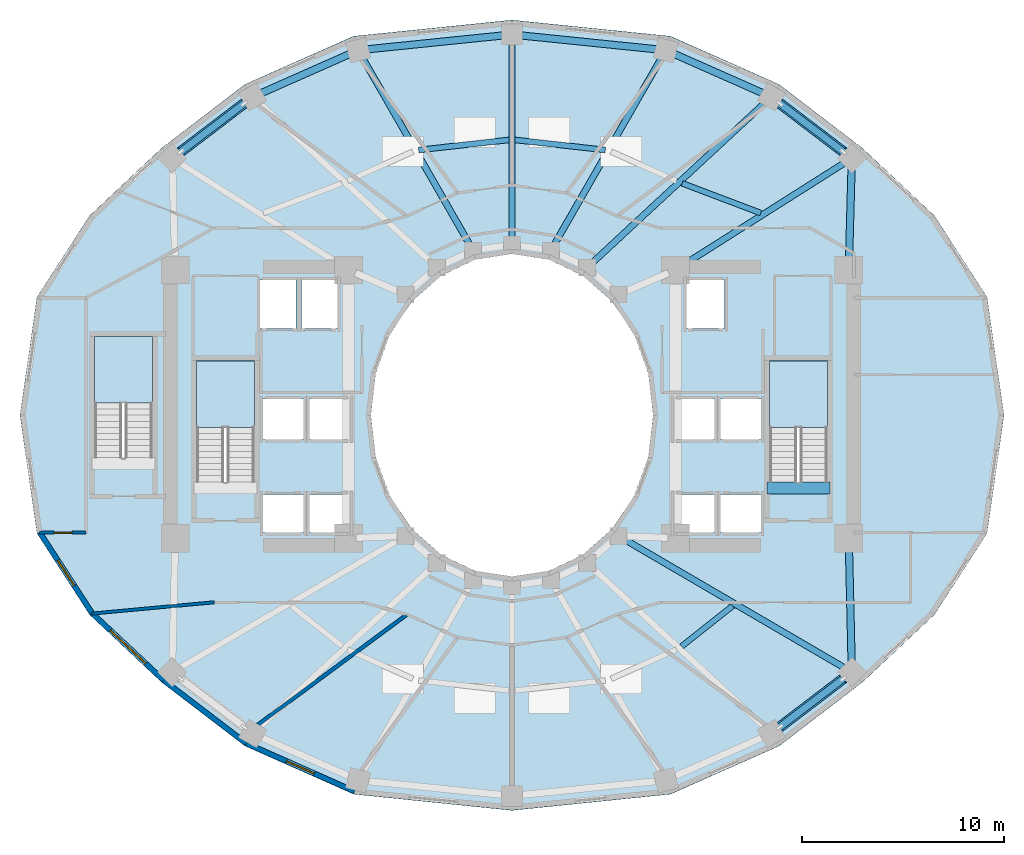
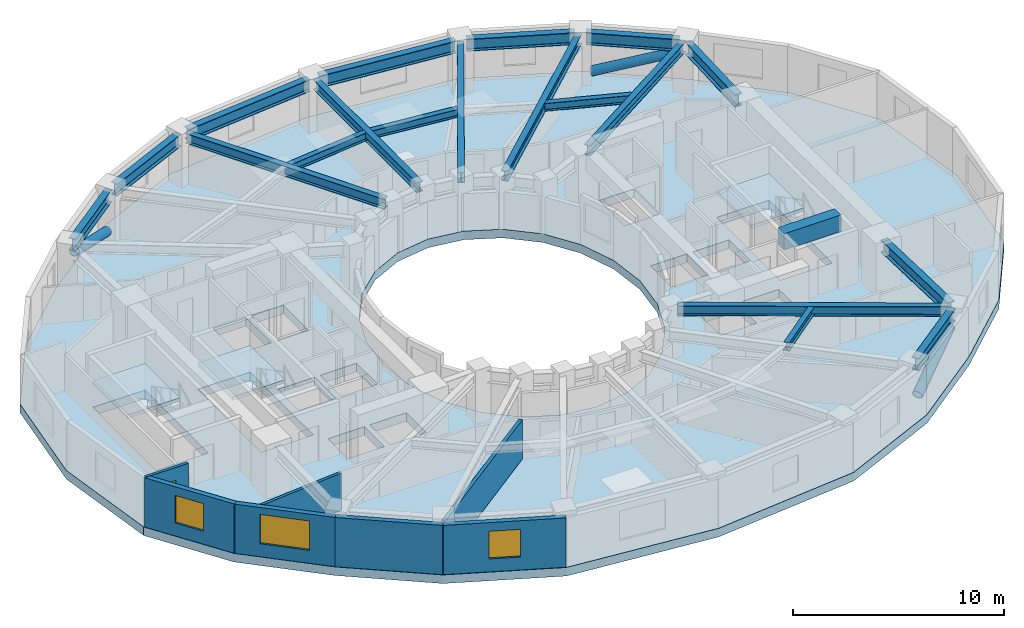
# One storey, part 2 of 9: 20 beams, 7 walls, 4 slabs, 3 members, 3 windows, 1 door, 4 openings, 3 elements without a shape of their own.
"""IFC4 building model written with IfcOpenShell, lengths in metres."""

from ifc_helpers import new_model, si_unit, direction, frame, frame_2d, origin, origin_2d, place, context, subcontext, project, spatial, polyline, rectangle, hollow_circle, i_section, outline, extrude, material, layer, layer_set, material_profile, profile_set, type_object, element, fill, aggregate, save


model = new_model("IFC4")

# Units and contexts
model_context = context("Model", 3, precision=1e-05, world=origin(), true_north=direction((0.0, 1.0)))
body_context = subcontext(model_context, "Body", "Model", "MODEL_VIEW")
ifc_project = project(units=[si_unit("LENGTHUNIT", "METRE"), si_unit("AREAUNIT", "SQUARE_METRE"), si_unit("VOLUMEUNIT", "CUBIC_METRE"), si_unit("PLANEANGLEUNIT", "RADIAN"), si_unit("MASSUNIT", "GRAM", prefix="KILO")], contexts=[model_context])

# Site, building, storey
site_placement = place(None, origin())
site = spatial("IfcSite", under=ifc_project, at=site_placement, CompositionType="ELEMENT")
building_placement = place(site_placement, origin())
building = spatial("IfcBuilding", under=site, at=building_placement, Name="Solvane Sanctuary Tower", CompositionType="ELEMENT")
storey_placement = place(building_placement, frame((0.0, 0.0, 104.199951171875)))
storey = spatial("IfcBuildingStorey", under=building, at=storey_placement, Name="L31", CompositionType="ELEMENT", Elevation=104.199951171875)

# Beams
ifc_material_1 = material(Name="Concrete C70/85", Category="concrete")
ifc_material_profile_1 = material_profile(ifc_material_1, rectangle(XDim=0.60009765625, YDim=0.949951171875, at=origin_2d()), Name="RC600X950")
ifc_profile_set_1 = profile_set([ifc_material_profile_1], Name="Concrete C70/85")
beam_type_1 = type_object("IfcBeamType", Name="Beam B-COUPLE RC600X950", PredefinedType="LINTEL", material=ifc_profile_set_1)
beam_1_placement = place(storey_placement, frame((44.64990234375, 19.399169921875, 2.625), z_axis=(1.0, 0.0, 0.0), x_axis=(0.0, 1.0, 0.0)))
element("IfcBeam", 1, at=beam_1_placement, inside=storey, type_object=beam_type_1, Name="L31 ST-2 Stair Floor Landing Trimmer", PredefinedType="LINTEL", context=body_context, shape_type="SweptSolid", body=[
    extrude(rectangle(XDim=0.60009765625, YDim=0.949951171875, at=origin_2d()), origin(), (0.0, 0.0, 1.0), 3.1201171875),
])
ifc_material_2 = material(Name="Steel ASTM A992 Grade 50", Category="steel")
ifc_material_profile_2 = material_profile(ifc_material_2, i_section(OverallWidth=0.31494140625, OverallDepth=0.575927734375, WebThickness=0.01513671875, FlangeThickness=0.0244140625, FilletRadius=0.014892578125, at=origin_2d()), Name="W21X122")
ifc_profile_set_2 = profile_set([ifc_material_profile_2], Name="Steel ASTM A992 Grade 50")
beam_type_2 = type_object("IfcBeamType", Name="Beam B-RAD-Z2 W21X122", PredefinedType="BEAM", material=ifc_profile_set_2)
beam_2_placement = place(storey_placement, frame((40.404052734375, 30.392578125, 2.590087890625), z_axis=(0.844853889678, 0.534997107558, 0.0), x_axis=(-0.534997107558, 0.844853889678, 0.0)))
element("IfcBeam", 2, at=beam_2_placement, inside=storey, type_object=beam_type_2, Name="L31 Radial Composite Floor Beam 01", PredefinedType="BEAM", context=body_context, shape_type="SweptSolid", body=[
    extrude(i_section(OverallWidth=0.31494140625, OverallDepth=0.575927734375, WebThickness=0.01513671875, FlangeThickness=0.0244140625, FilletRadius=0.014892578125, at=origin_2d()), origin(), (0.0, 0.0, 1.0), 9.720458984375),
])
beam_3_placement = place(storey_placement, frame((35.935302734375, 30.516845703125, 2.590087890625), z_axis=(0.733453775248, 0.679739332078, 0.0), x_axis=(-0.679739332078, 0.733453775248, 0.0)))
element("IfcBeam", 3, at=beam_3_placement, inside=storey, type_object=beam_type_2, Name="L31 Radial Composite Floor Beam 02", PredefinedType="BEAM", context=body_context, shape_type="SweptSolid", body=[
    extrude(i_section(OverallWidth=0.31494140625, OverallDepth=0.575927734375, WebThickness=0.01513671875, FlangeThickness=0.0244140625, FilletRadius=0.014892578125, at=origin_2d()), origin(), (0.0, 0.0, 1.0), 11.885498046875),
])
beam_4_placement = place(storey_placement, frame((34.0703125, 31.41455078125, 2.590087890625), z_axis=(0.497792245326, 0.8672963049, 0.0), x_axis=(-0.8672963049, 0.497792245326, 0.0)))
element("IfcBeam", 4, at=beam_4_placement, inside=storey, type_object=beam_type_2, Name="L31 Radial Composite Floor Beam 03", PredefinedType="BEAM", context=body_context, shape_type="SweptSolid", body=[
    extrude(i_section(OverallWidth=0.31494140625, OverallDepth=0.575927734375, WebThickness=0.01513671875, FlangeThickness=0.0244140625, FilletRadius=0.014892578125, at=origin_2d()), origin(), (0.0, 0.0, 1.0), 10.887451171875),
])
beam_5_placement = place(storey_placement, frame((32.0, 31.739990234375, 2.590087890625), z_axis=(0.0, 1.0, 0.0), x_axis=(-1.0, 0.0, 0.0)))
element("IfcBeam", 5, at=beam_5_placement, inside=storey, type_object=beam_type_2, Name="L31 Radial Composite Floor Beam 04", PredefinedType="BEAM", context=body_context, shape_type="SweptSolid", body=[
    extrude(i_section(OverallWidth=0.31494140625, OverallDepth=0.575927734375, WebThickness=0.01513671875, FlangeThickness=0.0244140625, FilletRadius=0.014892578125, at=origin_2d()), origin(), (0.0, 0.0, 1.0), 9.860107421875),
])
beam_6_placement = place(storey_placement, frame((29.9296875, 31.41455078125, 2.590087890625), z_axis=(-0.497792245326, 0.8672963049, 0.0), x_axis=(-0.8672963049, -0.497792245326, 0.0)))
element("IfcBeam", 6, at=beam_6_placement, inside=storey, type_object=beam_type_2, Name="L31 Radial Composite Floor Beam 05", PredefinedType="BEAM", context=body_context, shape_type="SweptSolid", body=[
    extrude(i_section(OverallWidth=0.31494140625, OverallDepth=0.575927734375, WebThickness=0.01513671875, FlangeThickness=0.0244140625, FilletRadius=0.014892578125, at=origin_2d()), origin(), (0.0, 0.0, 1.0), 10.887451171875),
])
beam_7_placement = place(storey_placement, frame((37.516845703125, 16.876708984375, 2.590087890625), z_axis=(0.863554121542, -0.504256164234, 0.0), x_axis=(0.504256164234, 0.863554121542, 0.0)))
element("IfcBeam", 7, at=beam_7_placement, inside=storey, type_object=beam_type_2, Name="L31 Radial Composite Floor Beam 14", PredefinedType="BEAM", context=body_context, shape_type="SweptSolid", body=[
    extrude(i_section(OverallWidth=0.31494140625, OverallDepth=0.575927734375, WebThickness=0.01513671875, FlangeThickness=0.0244140625, FilletRadius=0.014892578125, at=origin_2d()), origin(), (0.0, 0.0, 1.0), 12.84716796875),
])
ifc_material_profile_3 = material_profile(ifc_material_2, i_section(OverallWidth=0.280029296875, OverallDepth=0.462890625, WebThickness=0.0107421875, FlangeThickness=0.017333984375, FilletRadius=0.013916015625, at=origin_2d()), Name="W18X76")
ifc_profile_set_3 = profile_set([ifc_material_profile_3], Name="Steel ASTM A992 Grade 50")
beam_type_3 = type_object("IfcBeamType", Name="Beam B-SEC-JOIST W18X76", PredefinedType="JOIST", material=ifc_profile_set_3)
for number, where, z_axis, x_axis, name in (
    (8, (27.37158203125, 36.15283203125, 2.646484375), (0.993814804173, 0.111050146357, 0.0), (-0.111050146357, 0.993814804173, 0.0), "L31 Secondary Circumferential Joist 05-04"),
    (9, (32.151611328125, 36.653076171875, 2.646484375), (0.993814804173, -0.111050146357, 0.0), (0.111050146357, 0.993814804173, 0.0), "L31 Secondary Circumferential Joist 04-03"),
):
    element("IfcBeam", number, at=place(storey_placement, frame(where, z_axis=z_axis, x_axis=x_axis)), inside=storey, type_object=beam_type_3, Name=name, PredefinedType="JOIST", context=body_context, shape_type="SweptSolid", body=[
        extrude(i_section(OverallWidth=0.280029296875, OverallDepth=0.462890625, WebThickness=0.0107421875, FlangeThickness=0.017333984375, FilletRadius=0.013916015625, at=origin_2d()), origin(), (0.0, 0.0, 1.0), 4.504638671875),
    ])
beam_8_placement = place(storey_placement, frame((40.436767578125, 34.50244140625, 2.646484375), z_axis=(0.93509327646, -0.354401699091, 0.0), x_axis=(0.354401699091, 0.93509327646, 0.0)))
element("IfcBeam", 10, at=beam_8_placement, inside=storey, type_object=beam_type_3, Name="L31 Secondary Circumferential Joist 02-01", PredefinedType="JOIST", context=body_context, shape_type="SweptSolid", body=[
    extrude(i_section(OverallWidth=0.280029296875, OverallDepth=0.462890625, WebThickness=0.0107421875, FlangeThickness=0.017333984375, FilletRadius=0.013916015625, at=origin_2d()), origin(), (0.0, 0.0, 1.0), 4.167724609375),
])
beam_9_placement = place(storey_placement, frame((40.413818359375, 11.538330078125, 2.646484375), z_axis=(0.783877123324, 0.620915981055, 0.0), x_axis=(-0.620915981055, 0.783877123324, 0.0)))
element("IfcBeam", 11, at=beam_9_placement, inside=storey, type_object=beam_type_3, Name="L31 Secondary Circumferential Joist 13-14", PredefinedType="JOIST", context=body_context, shape_type="SweptSolid", body=[
    extrude(i_section(OverallWidth=0.280029296875, OverallDepth=0.462890625, WebThickness=0.0107421875, FlangeThickness=0.017333984375, FilletRadius=0.013916015625, at=origin_2d()), origin(), (0.0, 0.0, 1.0), 3.228515625),
])
ifc_material_profile_4 = material_profile(ifc_material_2, i_section(OverallWidth=0.35791015625, OverallDepth=0.7060546875, WebThickness=0.018310546875, FlangeThickness=0.0302734375, FilletRadius=0.01806640625, at=origin_2d()), Name="W27X178")
ifc_profile_set_4 = profile_set([ifc_material_profile_4], Name="Steel ASTM A992 Grade 50")
beam_type_4 = type_object("IfcBeamType", Name="Beam B-SPAND-Z2 W27X178", PredefinedType="SPANDREL", material=ifc_profile_set_4)
beam_10_placement = place(storey_placement, frame((15.36962890625, 35.91259765625, 2.525146484375), z_axis=(0.795473167932, 0.605988811036, 0.0), x_axis=(-0.605988811036, 0.795473167932, 0.0)))
element("IfcBeam", 12, at=beam_10_placement, inside=storey, type_object=beam_type_4, Name="L31 Perimeter Spandrel Beam TC07-TC06", PredefinedType="SPANDREL", context=body_context, shape_type="SweptSolid", body=[
    extrude(i_section(OverallWidth=0.35791015625, OverallDepth=0.7060546875, WebThickness=0.018310546875, FlangeThickness=0.0302734375, FilletRadius=0.01806640625, at=origin_2d()), origin(), (0.0, 0.0, 1.0), 4.4619140625),
])
beam_11_placement = place(storey_placement, frame((19.397705078125, 38.8994140625, 2.525146484375), z_axis=(0.914454505181, 0.404688717355, 0.0), x_axis=(-0.404688717355, 0.914454505181, 0.0)))
element("IfcBeam", 13, at=beam_11_placement, inside=storey, type_object=beam_type_4, Name="L31 Perimeter Spandrel Beam TC06-TC05", PredefinedType="SPANDREL", context=body_context, shape_type="SweptSolid", body=[
    extrude(i_section(OverallWidth=0.35791015625, OverallDepth=0.7060546875, WebThickness=0.018310546875, FlangeThickness=0.0302734375, FilletRadius=0.01806640625, at=origin_2d()), origin(), (0.0, 0.0, 1.0), 5.157958984375),
])
for number, where, z_axis, x_axis, name in (
    (14, (24.649169921875, 41.12841796875, 2.525146484375), (0.994813029025, 0.101720387737, 0.0), (-0.101720387737, 0.994813029025, 0.0), "L31 Perimeter Spandrel Beam TC05-TC04"),
    (15, (32.278564453125, 41.8515625, 2.525146484375), (0.994813029025, -0.101720387737, 0.0), (0.101720387737, 0.994813029025, 0.0), "L31 Perimeter Spandrel Beam TC04-TC03"),
):
    element("IfcBeam", number, at=place(storey_placement, frame(where, z_axis=z_axis, x_axis=x_axis)), inside=storey, type_object=beam_type_4, Name=name, PredefinedType="SPANDREL", context=body_context, shape_type="SweptSolid", body=[
        extrude(i_section(OverallWidth=0.35791015625, OverallDepth=0.7060546875, WebThickness=0.018310546875, FlangeThickness=0.0302734375, FilletRadius=0.01806640625, at=origin_2d()), origin(), (0.0, 0.0, 1.0), 7.109130859375),
    ])
beam_12_placement = place(storey_placement, frame((39.885498046875, 40.98681640625, 2.525146484375), z_axis=(0.914454505181, -0.404688717355, 0.0), x_axis=(0.404688717355, 0.914454505181, 0.0)))
element("IfcBeam", 16, at=beam_12_placement, inside=storey, type_object=beam_type_4, Name="L31 Perimeter Spandrel Beam TC03-TC02", PredefinedType="SPANDREL", context=body_context, shape_type="SweptSolid", body=[
    extrude(i_section(OverallWidth=0.35791015625, OverallDepth=0.7060546875, WebThickness=0.018310546875, FlangeThickness=0.0302734375, FilletRadius=0.01806640625, at=origin_2d()), origin(), (0.0, 0.0, 1.0), 5.157958984375),
])
beam_13_placement = place(storey_placement, frame((45.0810546875, 38.616455078125, 2.525146484375), z_axis=(0.795473167932, -0.605988811036, 0.0), x_axis=(0.605988811036, 0.795473167932, 0.0)))
element("IfcBeam", 17, at=beam_13_placement, inside=storey, type_object=beam_type_4, Name="L31 Perimeter Spandrel Beam TC02-TC01", PredefinedType="SPANDREL", context=body_context, shape_type="SweptSolid", body=[
    extrude(i_section(OverallWidth=0.35791015625, OverallDepth=0.7060546875, WebThickness=0.018310546875, FlangeThickness=0.0302734375, FilletRadius=0.01806640625, at=origin_2d()), origin(), (0.0, 0.0, 1.0), 4.4619140625),
])
beam_14_placement = place(storey_placement, frame((48.84521484375, 35.462890625, 2.525146484375), z_axis=(-0.027574028772, -0.999619764179, 0.0), x_axis=(0.999619764179, -0.027574028772, 0.0)))
element("IfcBeam", 18, at=beam_14_placement, inside=storey, type_object=beam_type_4, Name="L31 Perimeter Spandrel Beam TC01-CE3", PredefinedType="SPANDREL", context=body_context, shape_type="SweptSolid", body=[
    extrude(i_section(OverallWidth=0.35791015625, OverallDepth=0.7060546875, WebThickness=0.018310546875, FlangeThickness=0.0302734375, FilletRadius=0.01806640625, at=origin_2d()), origin(), (0.0, 0.0, 1.0), 4.98486328125),
])
beam_15_placement = place(storey_placement, frame((45.0810546875, 7.383544921875, 2.525146484375), z_axis=(0.795473167932, 0.605988811036, 0.0), x_axis=(-0.605988811036, 0.795473167932, 0.0)))
element("IfcBeam", 19, at=beam_15_placement, inside=storey, type_object=beam_type_4, Name="L31 Perimeter Spandrel Beam TC13-TC14", PredefinedType="SPANDREL", context=body_context, shape_type="SweptSolid", body=[
    extrude(i_section(OverallWidth=0.35791015625, OverallDepth=0.7060546875, WebThickness=0.018310546875, FlangeThickness=0.0302734375, FilletRadius=0.01806640625, at=origin_2d()), origin(), (0.0, 0.0, 1.0), 4.4619140625),
])
beam_16_placement = place(storey_placement, frame((48.8466796875, 10.537109375, 2.525146484375), z_axis=(-0.023071397754, 0.999733819877, 0.0), x_axis=(-0.999733819877, -0.023071397754, 0.0)))
element("IfcBeam", 20, at=beam_16_placement, inside=storey, type_object=beam_type_4, Name="L31 Perimeter Spandrel Beam TC14-CE2", PredefinedType="SPANDREL", context=body_context, shape_type="SweptSolid", body=[
    extrude(i_section(OverallWidth=0.35791015625, OverallDepth=0.7060546875, WebThickness=0.018310546875, FlangeThickness=0.0302734375, FilletRadius=0.01806640625, at=origin_2d()), origin(), (0.0, 0.0, 1.0), 6.084716796875),
])

# Members
ifc_material_profile_5 = material_profile(ifc_material_2, hollow_circle(Radius=0.25390625, WallThickness=0.01611328125, at=origin_2d()), Name="CHS508X16")
ifc_profile_set_5 = profile_set([ifc_material_profile_5], Name="Steel ASTM A992 Grade 50")
member_type = type_object("IfcMemberType", Name="Member M-TUBE-Z2 CHS508X16", PredefinedType="BRACE", material=ifc_profile_set_5)
for number, where, z_axis, x_axis, name in (
    (21, (45.286865234375, 38.459716796875, 0.572265625), (0.749170118041, -0.570768517947, 0.336106282529), (0.606024564443, 0.795445929836, 0.0), "L31 Perimeter Braced-Tube Diagonal NE"),
    (22, (18.713134765625, 38.459716796875, 0.572265625), (-0.749170118041, -0.570768517947, 0.336106282529), (0.606024564443, -0.795445929836, 0.0), "L31 Perimeter Braced-Tube Diagonal NW"),
    (23, (45.286865234375, 7.540283203125, 0.572265625), (0.749170118041, 0.570768517947, 0.336106282529), (-0.606024564443, 0.795445929836, 0.0), "L31 Perimeter Braced-Tube Diagonal SE"),
):
    element("IfcMember", number, at=place(storey_placement, frame(where, z_axis=z_axis, x_axis=x_axis)), inside=storey, type_object=member_type, Name=name, PredefinedType="BRACE", context=body_context, shape_type="SweptSolid", body=[
        extrude(hollow_circle(Radius=0.25390625, WallThickness=0.01611328125, at=origin_2d()), origin(), (0.0, 0.0, 1.0), 4.1875),
    ])

# Stair, slab
ifc_material_3 = material(Name="Concrete C45/55", Category="concrete")
stair_type = type_object("IfcStairType", Name="Stair ST-TOW", PredefinedType="HALF_TURN_STAIR", material=ifc_material_3)
stair_1_placement = place(storey_placement, origin())
stair_1 = element("IfcStair", 24, at=stair_1_placement, inside=storey, type_object=stair_type, Name="L31 Exit Stair ST-1 West Core", PredefinedType="HALF_TURN_STAIR")
ifc_layer_1 = layer(ifc_material_3, 0.199951171875, Name="Concrete C45/55")
ifc_layer_set_1 = layer_set([ifc_layer_1], Name="Concrete C45/55")
slab_type_1 = type_object("IfcSlabType", Name="Slab SL-LAND-180", PredefinedType="LANDING", material=ifc_layer_set_1)
slab_1_placement = place(storey_placement, frame((0.0, 0.0, 1.35009765625)))
slab_1 = element("IfcSlab", 25, at=slab_1_placement, type_object=slab_type_1, Name="ST-1 landing 1", PredefinedType="LANDING", context=body_context, shape_type="SweptSolid", body=[
    extrude(outline(polyline([(19.219970703125, 22.39990234375), (19.219970703125, 25.699951171875), (16.360107421875, 25.699951171875), (16.360107421875, 22.39990234375), (19.219970703125, 22.39990234375)])), origin(), (0.0, 0.0, 1.0), 0.199951171875),
])
aggregate(stair_1, [slab_1])

stair_2_placement = place(storey_placement, origin())
stair_2 = element("IfcStair", 26, at=stair_2_placement, inside=storey, type_object=stair_type, Name="L31 Exit Stair ST-2 East Core", PredefinedType="HALF_TURN_STAIR")
slab_2_placement = place(storey_placement, frame((0.0, 0.0, 1.35009765625)))
slab_2 = element("IfcSlab", 27, at=slab_2_placement, type_object=slab_type_1, Name="ST-2 landing 1", PredefinedType="LANDING", context=body_context, shape_type="SweptSolid", body=[
    extrude(outline(polyline([(47.639892578125, 22.39990234375), (47.639892578125, 25.699951171875), (44.780029296875, 25.699951171875), (44.780029296875, 22.39990234375), (47.639892578125, 22.39990234375)])), origin(), (0.0, 0.0, 1.0), 0.199951171875),
])
aggregate(stair_2, [slab_2])

stair_3_placement = place(storey_placement, origin())
stair_3 = element("IfcStair", 28, at=stair_3_placement, inside=storey, type_object=stair_type, Name="L31 Exit Stair ST-3 Pilgrim Tower Stair", PredefinedType="HALF_TURN_STAIR")
slab_3_placement = place(storey_placement, frame((0.0, 0.0, 1.35009765625)))
slab_3 = element("IfcSlab", 29, at=slab_3_placement, type_object=slab_type_1, Name="ST-3 landing 1", PredefinedType="LANDING", context=body_context, shape_type="SweptSolid", body=[
    extrude(outline(polyline([(14.159912109375, 23.60009765625), (14.159912109375, 26.89990234375), (11.300048828125, 26.89990234375), (11.300048828125, 23.60009765625), (14.159912109375, 23.60009765625)])), origin(), (0.0, 0.0, 1.0), 0.199951171875),
])
aggregate(stair_3, [slab_3])

# Slab
ifc_material_4 = material(Name="Concrete C60/75", Category="concrete")
ifc_layer_2 = layer(ifc_material_4, 0.5, Name="Concrete C60/75")
ifc_layer_set_2 = layer_set([ifc_layer_2], Name="Concrete C60/75")
slab_type_2 = type_object("IfcSlabType", Name="Slab SL-XFER-500", PredefinedType="FLOOR", material=ifc_layer_set_2)
slab_4_placement = place(storey_placement, frame((0.0, 0.0, -0.5)))
element("IfcSlab", 30, at=slab_4_placement, inside=storey, type_object=slab_type_2, Name="L31 Primary Structural Slab", PredefinedType="FLOOR", context=body_context, shape_type="SweptSolid", body=[
    extrude(outline(polyline([(56.39990234375, 23.0), (55.556884765625, 28.86376953125), (52.94091796875, 32.903076171875), (49.365478515625, 36.255126953125), (45.249267578125, 39.404296875), (39.861328125, 41.795166015625), (32.0, 42.60009765625), (24.138671875, 41.795166015625), (18.750732421875, 39.404296875), (14.634521484375, 36.255126953125), (11.05908203125, 32.903076171875), (8.443115234375, 28.86376953125), (7.60009765625, 23.0), (8.443115234375, 17.13623046875), (11.05908203125, 13.096923828125), (14.634521484375, 9.744873046875), (18.750732421875, 6.595703125), (24.138671875, 4.204833984375), (32.0, 3.39990234375), (39.861328125, 4.204833984375), (45.249267578125, 6.595703125), (49.365478515625, 9.744873046875), (52.94091796875, 13.096923828125), (55.556884765625, 17.13623046875), (56.39990234375, 23.0)]), holes=[polyline([(38.761474609375, 20.929443359375), (38.062255859375, 19.0), (36.94970703125, 17.343017578125), (35.5, 16.07177734375), (33.811767578125, 15.272705078125), (32.0, 15.0), (30.188232421875, 15.272705078125), (28.5, 16.07177734375), (27.05029296875, 17.343017578125), (25.937744140625, 19.0), (25.238525390625, 20.929443359375), (25.0, 23.0), (25.238525390625, 25.070556640625), (25.937744140625, 27.0), (27.05029296875, 28.656982421875), (28.5, 29.92822265625), (30.188232421875, 30.727294921875), (32.0, 31.0), (33.811767578125, 30.727294921875), (35.5, 29.92822265625), (36.94970703125, 28.656982421875), (38.062255859375, 27.0), (38.761474609375, 25.070556640625), (39.0, 23.0), (38.761474609375, 20.929443359375)]), polyline([(16.360107421875, 19.699951171875), (16.360107421875, 25.699951171875), (19.219970703125, 25.699951171875), (19.219970703125, 19.699951171875), (16.360107421875, 19.699951171875)]), polyline([(44.780029296875, 19.699951171875), (44.780029296875, 25.699951171875), (47.639892578125, 25.699951171875), (47.639892578125, 19.699951171875), (44.780029296875, 19.699951171875)]), polyline([(11.300048828125, 20.89990234375), (11.300048828125, 26.89990234375), (14.159912109375, 26.89990234375), (14.159912109375, 20.89990234375), (11.300048828125, 20.89990234375)]), polyline([(19.64990234375, 19.080078125), (21.64990234375, 19.080078125), (21.64990234375, 17.179931640625), (19.64990234375, 17.179931640625), (19.64990234375, 19.080078125)]), polyline([(21.949951171875, 19.080078125), (23.949951171875, 19.080078125), (23.949951171875, 17.179931640625), (21.949951171875, 17.179931640625), (21.949951171875, 19.080078125)]), polyline([(40.050048828125, 19.080078125), (42.050048828125, 19.080078125), (42.050048828125, 17.179931640625), (40.050048828125, 17.179931640625), (40.050048828125, 19.080078125)]), polyline([(42.35009765625, 19.080078125), (44.35009765625, 19.080078125), (44.35009765625, 17.179931640625), (42.35009765625, 17.179931640625), (42.35009765625, 19.080078125)]), polyline([(19.64990234375, 23.800048828125), (21.64990234375, 23.800048828125), (21.64990234375, 21.800048828125), (19.64990234375, 21.800048828125), (19.64990234375, 23.800048828125)]), polyline([(42.35009765625, 23.800048828125), (44.35009765625, 23.800048828125), (44.35009765625, 21.800048828125), (42.35009765625, 21.800048828125), (42.35009765625, 23.800048828125)]), polyline([(21.949951171875, 23.800048828125), (23.949951171875, 23.800048828125), (23.949951171875, 21.800048828125), (21.949951171875, 21.800048828125), (21.949951171875, 23.800048828125)]), polyline([(40.050048828125, 23.800048828125), (42.050048828125, 23.800048828125), (42.050048828125, 21.800048828125), (40.050048828125, 21.800048828125), (40.050048828125, 23.800048828125)]), polyline([(19.5, 29.699951171875), (21.300048828125, 29.699951171875), (21.300048828125, 27.300048828125), (19.5, 27.300048828125), (19.5, 29.699951171875)]), polyline([(21.550048828125, 29.699951171875), (23.35009765625, 29.699951171875), (23.35009765625, 27.300048828125), (21.550048828125, 27.300048828125), (21.550048828125, 29.699951171875)]), polyline([(40.64990234375, 29.699951171875), (42.550048828125, 29.699951171875), (42.550048828125, 27.300048828125), (40.64990234375, 27.300048828125), (40.64990234375, 29.699951171875)])]), origin(), (0.0, 0.0, 1.0), 0.5),
])

# Wall, opening, door
ifc_material_5 = material(Name="Acoustic Gypsum Partition Board")
ifc_layer_3 = layer(ifc_material_5, 0.14990234375, Name="Acoustic Gypsum Partition Board")
ifc_layer_set_3 = layer_set([ifc_layer_3], Name="Acoustic Gypsum Partition Board")
wall_type_1 = type_object("IfcWallType", Name="Wall W-CORR-150", PredefinedType="PARTITIONING", material=ifc_layer_set_3)
wall_1_placement = place(storey_placement, frame((8.558349609375, 17.1748046875, 0.0), z_axis=(0.0, 0.0, 1.0), x_axis=(1.0, 0.0, 0.0)))
wall_1 = element("IfcWall", 31, at=wall_1_placement, inside=storey, type_object=wall_type_1, Name="L31 West Shoulder South Wall", PredefinedType="PARTITIONING", context=body_context, shape_type="SweptSolid", body=[
    extrude(rectangle(XDim=2.321533203125, YDim=0.14990234375, at=frame_2d((1.16064453125, 0.0))), origin(), (0.0, 0.0, 1.0), 2.85498046875),
])
opening_1_placement = place(wall_1_placement, frame((0.73095703125, 0.0, 0.0)))
opening_1 = element("IfcOpeningElement", 32, at=opening_1_placement, cuts=wall_1, Name="Opening D-L31-10", PredefinedType="OPENING", context=body_context, shape_type="SweptSolid", body=[
    extrude(rectangle(XDim=0.89990234375, YDim=2.10009765625, at=frame_2d((0.449951171875, 1.050048828125))), frame((0.0, 0.0849609375, 0.0), z_axis=(0.0, -1.0, 0.0), x_axis=(1.0, 0.0, 0.0)), (0.0, 0.0, 1.0), 0.169921875),
])
ifc_material_6 = material(Name="Engineered Tropical Hardwood", Category="wood")
door_type = type_object("IfcDoorType", Name="Door D-WET-900", OperationType="NOTDEFINED", PredefinedType="DOOR", material=ifc_material_6)
door_placement = place(opening_1_placement, origin())
door = element("IfcDoor", 33, at=door_placement, inside=storey, type_object=door_type, Name="L31 West Shoulder South Door", OperationType="SINGLE_SWING_LEFT", OverallHeight=2.10009765625, OverallWidth=0.89990234375, PredefinedType="DOOR", context=body_context, shape_type="SweptSolid", body=[
    extrude(rectangle(XDim=0.89990234375, YDim=2.10009765625, at=frame_2d((0.449951171875, 1.050048828125))), frame((0.0, 0.02490234375, 0.0), z_axis=(0.0, -1.0, 0.0), x_axis=(1.0, 0.0, 0.0)), (0.0, 0.0, 1.0), 0.050048828125),
])
fill(opening_1, door)

# Wall
wall_2_placement = place(storey_placement, frame((17.249755859375, 13.724609375, 0.0), z_axis=(0.0, 0.0, 1.0), x_axis=(-0.995748209098, -0.092116795851, 0.0)))
element("IfcWall", 34, at=wall_2_placement, inside=storey, type_object=wall_type_1, Name="L31 SW Corner Wing Wall", PredefinedType="PARTITIONING", context=body_context, shape_type="SweptSolid", body=[
    extrude(rectangle(XDim=6.111572265625, YDim=0.14990234375, at=frame_2d((3.0556640625, 0.0))), origin(), (0.0, 0.0, 1.0), 2.14208984375),
])

# Wall, opening, window
ifc_material_7 = material(Name="Precast concrete C40/50", Category="concrete")
ifc_layer_4 = layer(ifc_material_7, 0.260009765625, Name="Precast concrete C40/50")
ifc_layer_set_4 = layer_set([ifc_layer_4], Name="Precast concrete C40/50")
wall_type_2 = type_object("IfcWallType", Name="Wall W-EXT-250", PredefinedType="STANDARD", material=ifc_layer_set_4)
wall_3_placement = place(storey_placement, frame((8.578125, 17.181396484375, 0.0), z_axis=(0.0, 0.0, 1.0), x_axis=(0.544388392991, -0.838833283541, 0.0)))
wall_3 = element("IfcWall", 35, at=wall_3_placement, inside=storey, type_object=wall_type_2, Name="L31 Ceramic-Printed Facade Wall 13", PredefinedType="STANDARD", context=body_context, shape_type="SweptSolid", body=[
    extrude(rectangle(XDim=4.7783203125, YDim=0.260009765625, at=frame_2d((2.38916015625, 0.0))), origin(), (0.0, 0.0, 1.0), 2.85009765625),
])
opening_2_placement = place(wall_3_placement, frame((1.63916015625, 0.0, 0.75)))
opening_2 = element("IfcOpeningElement", 36, at=opening_2_placement, cuts=wall_3, Name="Opening WN-OPER-1500", PredefinedType="OPENING", context=body_context, shape_type="SweptSolid", body=[
    extrude(rectangle(XDim=1.5, YDim=1.60009765625, at=frame_2d((0.75, 0.800048828125))), frame((0.0, 0.139892578125, 0.0), z_axis=(0.0, -1.0, 0.0), x_axis=(1.0, 0.0, 0.0)), (0.0, 0.0, 1.0), 0.280029296875),
])
ifc_material_8 = material(Name="Dark Ceramic-Fritted Low-E Glass", Category="glass")
window_type_1 = type_object("IfcWindowType", Name="Window WN-OPER-1500", PartitioningType="SINGLE_PANEL", PredefinedType="WINDOW", material=ifc_material_8)
window_1_placement = place(opening_2_placement, origin())
window_1 = element("IfcWindow", 37, at=window_1_placement, inside=storey, type_object=window_type_1, Name="L31 Operable Facade Window 13", OverallHeight=1.60009765625, OverallWidth=1.5, PartitioningType="SINGLE_PANEL", PredefinedType="WINDOW", context=body_context, shape_type="SweptSolid", body=[
    extrude(rectangle(XDim=1.5, YDim=1.60009765625, at=frame_2d((0.75, 0.800048828125))), frame((0.0, 0.030029296875, 0.0), z_axis=(0.0, -1.0, 0.0), x_axis=(1.0, 0.0, 0.0)), (0.0, 0.0, 1.0), 0.06005859375),
])
fill(opening_2, window_1)

wall_4_placement = place(storey_placement, frame((11.179443359375, 13.173095703125, 0.0), z_axis=(0.0, 0.0, 1.0), x_axis=(0.730162452258, -0.68327358599, 0.0)))
wall_4 = element("IfcWall", 38, at=wall_4_placement, inside=storey, type_object=wall_type_2, Name="L31 Ceramic-Printed Facade Wall 14", PredefinedType="STANDARD", context=body_context, shape_type="SweptSolid", body=[
    extrude(rectangle(XDim=4.868408203125, YDim=0.260009765625, at=frame_2d((2.43408203125, 0.0))), origin(), (0.0, 0.0, 1.0), 2.85009765625),
])
opening_3_placement = place(wall_4_placement, frame((1.234130859375, 0.0, 0.75)))
opening_3 = element("IfcOpeningElement", 39, at=opening_3_placement, cuts=wall_4, Name="Opening WN-RIB-2400", PredefinedType="OPENING", context=body_context, shape_type="SweptSolid", body=[
    extrude(rectangle(XDim=2.39990234375, YDim=1.699951171875, at=frame_2d((1.199951171875, 0.85009765625))), frame((0.0, 0.139892578125, 0.0), z_axis=(0.0, -1.0, 0.0), x_axis=(1.0, 0.0, 0.0)), (0.0, 0.0, 1.0), 0.280029296875),
])
window_type_2 = type_object("IfcWindowType", Name="Window WN-RIB-2400", PartitioningType="SINGLE_PANEL", PredefinedType="WINDOW", material=ifc_material_8)
window_2_placement = place(opening_3_placement, origin())
window_2 = element("IfcWindow", 40, at=window_2_placement, inside=storey, type_object=window_type_2, Name="L31 Operable Facade Window 14", OverallHeight=1.699951171875, OverallWidth=2.39990234375, PartitioningType="SINGLE_PANEL", PredefinedType="WINDOW", context=body_context, shape_type="SweptSolid", body=[
    extrude(rectangle(XDim=2.39990234375, YDim=1.699951171875, at=frame_2d((1.199951171875, 0.85009765625))), frame((0.0, 0.030029296875, 0.0), z_axis=(0.0, -1.0, 0.0), x_axis=(1.0, 0.0, 0.0)), (0.0, 0.0, 1.0), 0.06005859375),
])
fill(opening_3, window_2)

# Wall
wall_5_placement = place(storey_placement, frame((14.734130859375, 9.8466796875, 0.0), z_axis=(0.0, 0.0, 1.0), x_axis=(0.794809810864, -0.606858603427, 0.0)))
element("IfcWall", 41, at=wall_5_placement, inside=storey, type_object=wall_type_2, Name="L31 Ceramic-Printed Facade Wall 15", PredefinedType="STANDARD", context=body_context, shape_type="SweptSolid", body=[
    extrude(rectangle(XDim=5.149169921875, YDim=0.260009765625, at=frame_2d((2.57470703125, 0.0))), origin(), (0.0, 0.0, 1.0), 2.85009765625),
])

# Wall, opening, window
wall_6_placement = place(storey_placement, frame((18.82666015625, 6.721923828125, 0.0), z_axis=(0.0, 0.0, 1.0), x_axis=(0.914336605747, -0.404955023911, 0.0)))
wall_6 = element("IfcWall", 42, at=wall_6_placement, inside=storey, type_object=wall_type_2, Name="L31 Ceramic-Printed Facade Wall 16", PredefinedType="STANDARD", context=body_context, shape_type="SweptSolid", body=[
    extrude(rectangle(XDim=5.85888671875, YDim=0.260009765625, at=frame_2d((2.929443359375, 0.0))), origin(), (0.0, 0.0, 1.0), 2.85009765625),
])
opening_4_placement = place(wall_6_placement, frame((2.179443359375, 0.0, 0.75)))
opening_4 = element("IfcOpeningElement", 43, at=opening_4_placement, cuts=wall_6, Name="Opening WN-OPER-1500", PredefinedType="OPENING", context=body_context, shape_type="SweptSolid", body=[
    extrude(rectangle(XDim=1.5, YDim=1.60009765625, at=frame_2d((0.75, 0.800048828125))), frame((0.0, 0.139892578125, 0.0), z_axis=(0.0, -1.0, 0.0), x_axis=(1.0, 0.0, 0.0)), (0.0, 0.0, 1.0), 0.280029296875),
])
window_3_placement = place(opening_4_placement, origin())
window_3 = element("IfcWindow", 44, at=window_3_placement, inside=storey, type_object=window_type_1, Name="L31 Operable Facade Window 16", OverallHeight=1.60009765625, OverallWidth=1.5, PartitioningType="SINGLE_PANEL", PredefinedType="WINDOW", context=body_context, shape_type="SweptSolid", body=[
    extrude(rectangle(XDim=1.5, YDim=1.60009765625, at=frame_2d((0.75, 0.800048828125))), frame((0.0, 0.030029296875, 0.0), z_axis=(0.0, -1.0, 0.0), x_axis=(1.0, 0.0, 0.0)), (0.0, 0.0, 1.0), 0.06005859375),
])
fill(opening_4, window_3)

# Wall
ifc_layer_5 = layer(ifc_material_5, 0.179931640625, Name="Acoustic Gypsum Partition Board")
ifc_layer_set_5 = layer_set([ifc_layer_5], Name="Acoustic Gypsum Partition Board")
wall_type_3 = type_object("IfcWallType", Name="Wall W-UNIT-180", PredefinedType="PARTITIONING", material=ifc_layer_set_5)
wall_7_placement = place(storey_placement, frame((26.750732421875, 13.0859375, 0.0), z_axis=(0.0, 0.0, 1.0), x_axis=(-0.80430981394, -0.594210167533, 0.0)))
element("IfcWall", 45, at=wall_7_placement, inside=storey, type_object=wall_type_3, Name="L31 Radial Compartment Wall 240", PredefinedType="PARTITIONING", context=body_context, shape_type="SweptSolid", body=[
    extrude(rectangle(XDim=9.146240234375, YDim=0.179931640625, at=frame_2d((4.5732421875, 0.0))), origin(), (0.0, 0.0, 1.0), 2.27197265625),
])

save(model, "model.ifc")
